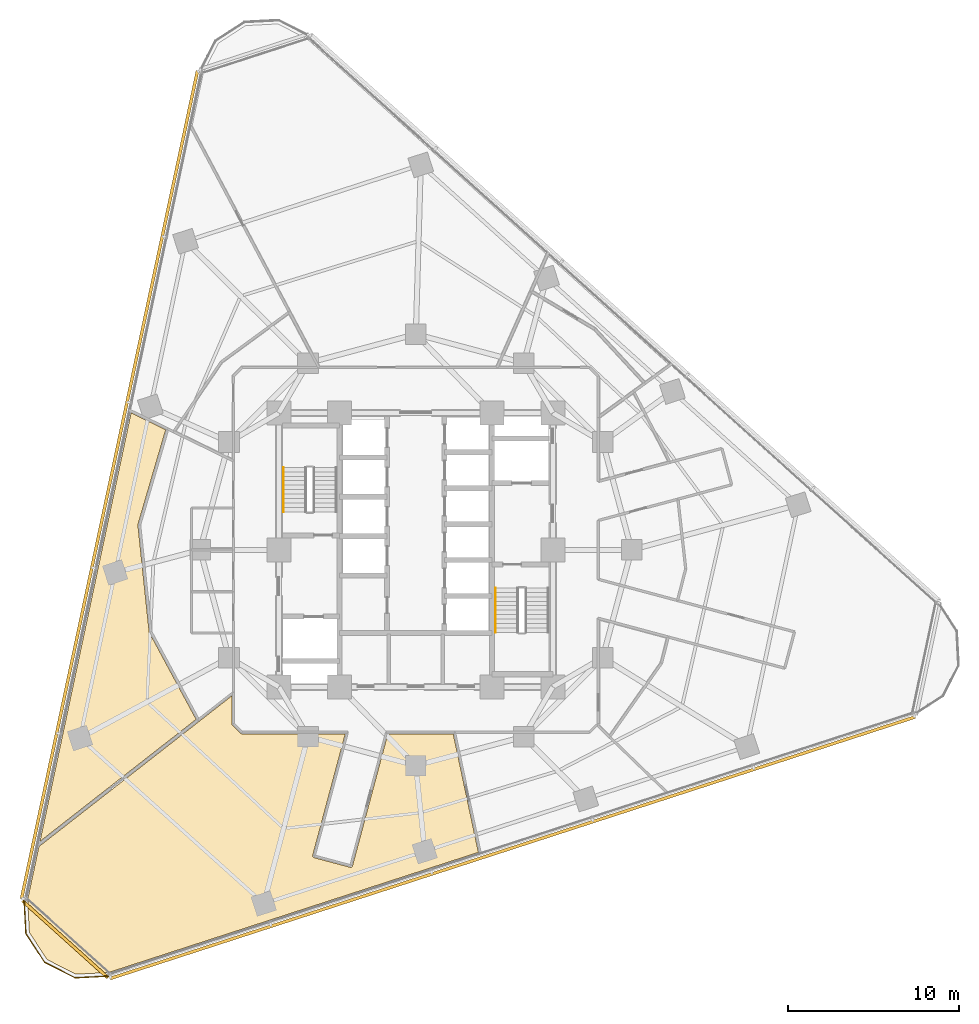
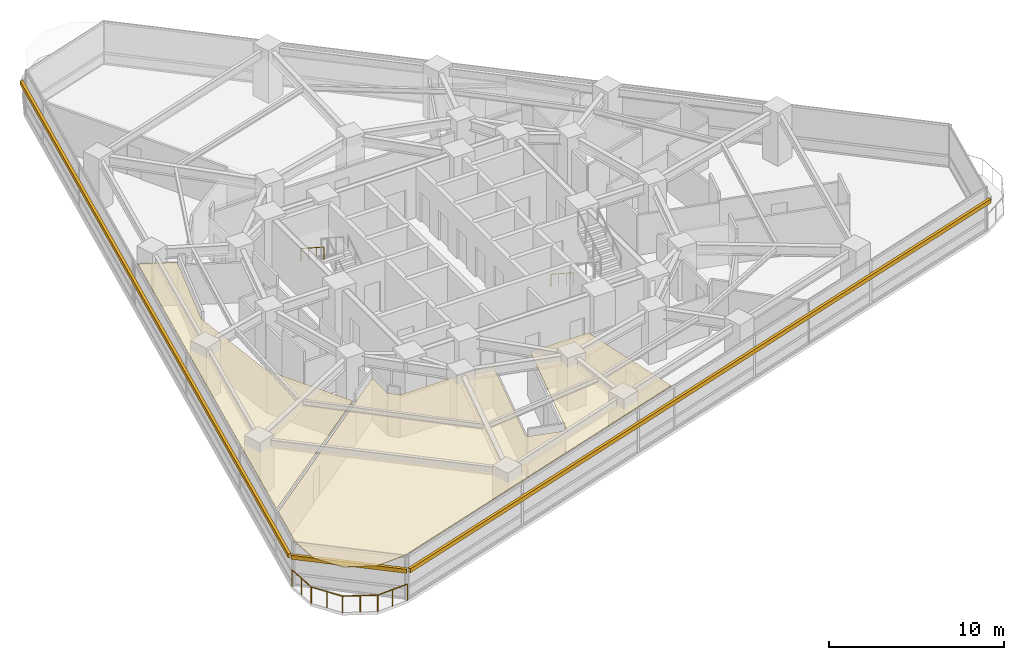
# One storey, part 11 of 13: 3 railings, 3 shading devices, 2 coverings.
"""IFC4 building model written with IfcOpenShell, lengths in metres."""

from ifc_helpers import new_model, si_unit, direction, frame, origin, origin_2d, place, context, subcontext, project, spatial, polyline, rectangle, circle, outline, extrude, material, layer, layer_set, type_object, element, save


model = new_model("IFC4")

# Units and contexts
model_context = context("Model", 3, precision=1e-05, world=origin(), true_north=direction((0.0, 1.0)))
body_context = subcontext(model_context, "Body", "Model", "MODEL_VIEW")
ifc_project = project(units=[si_unit("LENGTHUNIT", "METRE"), si_unit("AREAUNIT", "SQUARE_METRE"), si_unit("VOLUMEUNIT", "CUBIC_METRE"), si_unit("PLANEANGLEUNIT", "RADIAN"), si_unit("MASSUNIT", "GRAM", prefix="KILO")], contexts=[model_context])

# Site, building, storey
site_placement = place(None, origin())
site = spatial("IfcSite", under=ifc_project, at=site_placement, CompositionType="ELEMENT")
building_placement = place(site_placement, origin())
building = spatial("IfcBuilding", under=site, at=building_placement, Name="Terralouvre Media Tower", CompositionType="ELEMENT")
storey_placement = place(building_placement, frame((0.0, 0.0, 105.10009765625)))
storey = spatial("IfcBuildingStorey", under=building, at=storey_placement, Name="L26", CompositionType="ELEMENT", Elevation=105.10009765625)

# Coverings
ifc_material_1 = material(Name="Perforated aluminium acoustic ceiling baffle", Category="aluminium")
ifc_layer_1 = layer(ifc_material_1, 0.0400390625, Name="Perforated Acoustic Metal Tile Ceiling CL-AC1")
ifc_layer_set_1 = layer_set([ifc_layer_1], Name="Perforated aluminium acoustic ceiling baffle")
covering_type = type_object("IfcCoveringType", Name="Perforated Acoustic Metal Tile Ceiling CL-AC1", PredefinedType="CEILING", material=ifc_layer_set_1)
covering_1_placement = place(storey_placement, frame((0.0, 0.0, 2.97998046875), z_axis=(0.0, 0.0, 1.0), x_axis=(0.951056516295, 0.309016994375, 0.0)))
element("IfcCovering", 1, at=covering_1_placement, inside=storey, type_object=covering_type, Name="L26 Nutrition Tea Pantry 1 Acoustic Ceiling", PredefinedType="CEILING", context=body_context, shape_type="SweptSolid", body=[
    extrude(outline(polyline([(-4.880126953125, -9.717529296875), (-9.232421875, -16.420654296875), (-9.23828125, -16.428466796875), (-9.24462890625, -16.435791015625), (-9.251953125, -16.442626953125), (-9.259765625, -16.448486328125), (-9.26806640625, -16.45361328125), (-9.27685546875, -16.4580078125), (-9.2861328125, -16.46142578125), (-9.295654296875, -16.4638671875), (-9.30517578125, -16.465576171875), (-9.31494140625, -16.466064453125), (-9.324951171875, -16.4658203125), (-9.33447265625, -16.46435546875), (-9.343994140625, -16.462158203125), (-9.353515625, -16.458984375), (-9.3623046875, -16.454833984375), (-9.370849609375, -16.449951171875), (-11.216064453125, -15.252197265625), (-11.223876953125, -15.246337890625), (-11.231201171875, -15.239990234375), (-11.238037109375, -15.232666015625), (-11.243896484375, -15.224853515625), (-11.249267578125, -15.216552734375), (-11.25341796875, -15.207763671875), (-11.2568359375, -15.198486328125), (-11.25927734375, -15.18896484375), (-11.260986328125, -15.179443359375), (-11.261474609375, -15.16943359375), (-11.26123046875, -15.15966796875), (-11.259765625, -15.150146484375), (-11.257568359375, -15.140625), (-11.25439453125, -15.13134765625), (-11.25048828125, -15.122314453125), (-11.245361328125, -15.11376953125), (-7.242431640625, -8.949951171875), (-12.97509765625, -7.08740234375), (-12.984375, -7.083740234375), (-12.9931640625, -7.07958984375), (-13.00146484375, -7.07421875), (-13.00927734375, -7.068359375), (-13.016357421875, -7.0615234375), (-13.022705078125, -7.05419921875), (-13.0283203125, -7.046142578125), (-13.033447265625, -7.03759765625), (-13.354248046875, -6.407470703125), (-13.3583984375, -6.398681640625), (-13.361572265625, -6.389404296875), (-13.36376953125, -6.379638671875), (-13.364990234375, -6.3701171875), (-13.365234375, -6.360107421875), (-13.364501953125, -6.350341796875), (-13.363037109375, -6.3408203125), (-13.3603515625, -6.331298828125), (-12.858642578125, -4.786865234375), (-15.115234375, -5.6083984375), (-26.292724609375, -9.676025390625), (-27.874755859375, -12.416748046875), (-28.372314453125, -14.27197265625), (-27.883056640625, -16.0986328125), (-26.54638671875, -17.434814453125), (-24.69140625, -17.932373046875), (-1.98486328125, -17.931884765625), (-1.245849609375, -10.8984375), (-4.880126953125, -9.717529296875)])), origin(), (0.0, 0.0, 1.0), 0.0400390625),
])
covering_2_placement = place(storey_placement, frame((0.0, 0.0, 2.97998046875), z_axis=(0.0, 0.0, 1.0), x_axis=(0.951056516295, 0.309016994375, 0.0)))
element("IfcCovering", 2, at=covering_2_placement, inside=storey, type_object=covering_type, Name="L26 Club Administration Office 7 Acoustic Ceiling", PredefinedType="CEILING", context=body_context, shape_type="SweptSolid", body=[
    extrude(outline(polyline([(-16.296142578125, 0.218017578125), (-16.297607421875, 0.2275390625), (-16.2978515625, 0.2373046875), (-16.29736328125, 0.2470703125), (-16.295654296875, 0.2568359375), (-14.991455078125, 6.39404296875), (-14.98876953125, 6.403564453125), (-14.9853515625, 6.41259765625), (-14.981201171875, 6.42138671875), (-14.97607421875, 6.4296875), (-11.727783203125, 11.186767578125), (-13.34521484375, 12.7490234375), (-26.13720703125, -9.40673828125), (-15.26318359375, -5.449462890625), (-16.296142578125, 0.218017578125)])), origin(), (0.0, 0.0, 1.0), 0.0400390625),
])

# Railings
ifc_material_2 = material(Name="Stainless steel 316 handrail and balustrade", Category="steel")
ifc_layer_2 = layer(ifc_material_2, 0.06005859375, Name="Roof Edge Safety Guardrail GR-ROOF1")
ifc_layer_set_2 = layer_set([ifc_layer_2], Name="Stainless steel 316 handrail and balustrade")
railing_type_1 = type_object("IfcRailingType", Name="Roof Edge Safety Guardrail GR-ROOF1", PredefinedType="GUARDRAIL", material=ifc_layer_set_2)
railing_placement = place(storey_placement, frame((-22.8837890625, -20.395751953125, 0.0)))
element("IfcRailing", 3, at=railing_placement, inside=storey, type_object=railing_type_1, Name="L26 Wind-Corner Perimeter Safety Guardrail C0", PredefinedType="GUARDRAIL", context=body_context, shape_type="SweptSolid", body=[
    extrude(circle(Radius=0.02099609375, at=origin_2d()), frame((0.0, 0.0, 1.12890625), z_axis=(0.05204188706, -0.998644902851, 0.0), x_axis=(0.998644902851, 0.05204188706, 0.0)), (0.0, 0.0, 1.0), 2.0078125),
    extrude(circle(Radius=0.02099609375, at=origin_2d()), frame((0.1044921875, -2.005126953125, 1.12890625), z_axis=(0.544556562485, -0.838724120468, 0.0), x_axis=(0.838724120468, 0.544556562485, 0.0)), (0.0, 0.0, 1.0), 2.007568359375),
    extrude(circle(Radius=0.02099609375, at=origin_2d()), frame((1.19775390625, -3.68896484375, 1.12890625), z_axis=(0.891070121909, -0.453865660566, 0.0), x_axis=(0.453865660566, 0.891070121909, 0.0)), (0.0, 0.0, 1.0), 2.007568359375),
    extrude(circle(Radius=0.02099609375, at=origin_2d()), frame((2.986572265625, -4.60009765625, 1.12890625), z_axis=(0.998619508244, 0.052526924091, 0.0), x_axis=(-0.052526924091, 0.998619508244, 0.0)), (0.0, 0.0, 1.0), 2.0078125),
    extrude(circle(Radius=0.01904296875, at=origin_2d()), origin(), (0.0, 0.0, 1.0), 1.10791015625),
    extrude(circle(Radius=0.01904296875, at=origin_2d()), frame((0.05224609375, -1.00244140625, 0.0)), (0.0, 0.0, 1.0), 1.10791015625),
    extrude(circle(Radius=0.01904296875, at=origin_2d()), frame((0.1044921875, -2.005126953125, 0.0)), (0.0, 0.0, 1.0), 1.10791015625),
    extrude(circle(Radius=0.01904296875, at=origin_2d()), frame((0.651123046875, -2.84716796875, 0.0)), (0.0, 0.0, 1.0), 1.10791015625),
    extrude(circle(Radius=0.01904296875, at=origin_2d()), frame((1.19775390625, -3.68896484375, 0.0)), (0.0, 0.0, 1.0), 1.10791015625),
    extrude(circle(Radius=0.01904296875, at=origin_2d()), frame((2.09228515625, -4.14453125, 0.0)), (0.0, 0.0, 1.0), 1.10791015625),
    extrude(circle(Radius=0.01904296875, at=origin_2d()), frame((2.986572265625, -4.60009765625, 0.0)), (0.0, 0.0, 1.0), 1.10791015625),
    extrude(circle(Radius=0.01904296875, at=origin_2d()), frame((3.9892578125, -4.54736328125, 0.0)), (0.0, 0.0, 1.0), 1.10791015625),
    extrude(circle(Radius=0.01904296875, at=origin_2d()), frame((4.99169921875, -4.49462890625, 0.0)), (0.0, 0.0, 1.0), 1.10791015625),
])
ifc_material_3 = material(Name="Stainless steel 316 handrail and balustrade", Category="steel")
ifc_layer_3 = layer(ifc_material_3, 0.050048828125, Name="Stair Flight Wall Handrail HR-INT1")
ifc_layer_set_3 = layer_set([ifc_layer_3], Name="Stainless steel 316 handrail and balustrade")
railing_type_2 = type_object("IfcRailingType", Name="Stair Flight Wall Handrail HR-INT1", PredefinedType="HANDRAIL", material=ifc_layer_set_3)
for number, where, name in (
    (4, (-7.72998046875, 4.820068359375, 2.01806640625), "L26 ST-01 stair handrail 2"),
    (5, (4.64990234375, -2.219970703125, 0.16796875), "L26 ST-02 stair handrail 1"),
):
    element("IfcRailing", number, at=place(storey_placement, frame(where)), inside=storey, type_object=railing_type_2, Name=name, PredefinedType="HANDRAIL", context=body_context, shape_type="SweptSolid", body=[
        extrude(circle(Radius=0.02392578125, at=origin_2d()), frame((0.0, 0.0, 0.8759765625), z_axis=(0.0, -0.839648411786, 0.543130320075), x_axis=(1.0, 0.0, 0.0)), (0.0, 0.0, 1.0), 3.0966796875),
        extrude(circle(Radius=0.02099609375, at=origin_2d()), origin(), (0.0, 0.0, 1.0), 0.851806640625),
        extrude(circle(Radius=0.02099609375, at=origin_2d()), frame((0.0, -0.86669921875, 0.560546875)), (0.0, 0.0, 1.0), 0.851806640625),
        extrude(circle(Radius=0.02099609375, at=origin_2d()), frame((0.0, -1.7333984375, 1.121337890625)), (0.0, 0.0, 1.0), 0.851806640625),
        extrude(circle(Radius=0.02099609375, at=origin_2d()), frame((0.0, -2.60009765625, 1.681884765625)), (0.0, 0.0, 1.0), 0.851806640625),
    ])

# Shading devices
ifc_material_4 = material(Name="Extruded terracotta baguette sunshade louvres", Category="masonry")
shading_device_type = type_object("IfcShadingDeviceType", Name="Terracotta Baguette Sunshade Louvre Screen TB-LV1", PredefinedType="USERDEFINED", material=ifc_material_4)
for number, where, z_axis, x_axis, name in (
    (6, (5.652587890625, -17.396728515625, 2.02392578125), (0.0, 0.0, 1.0), (0.951056509451, 0.309017015439, 0.0), "CW-L26-F0 Terracotta Baguette Sunshade Louvre"),
    (7, (-17.892333984375, 3.80322265625, 2.02392578125), (0.0, 0.0, 1.0), (-0.207911643887, -0.978147610709, 0.0), "CW-L26-F2 Terracotta Baguette Sunshade Louvre"),
):
    element("IfcShadingDevice", number, at=place(storey_placement, frame(where, z_axis=z_axis, x_axis=x_axis)), inside=storey, type_object=shading_device_type, Name=name, ObjectType="BAGUETTE", PredefinedType="USERDEFINED", context=body_context, shape_type="SweptSolid", body=[
        extrude(rectangle(XDim=49.43994140625, YDim=0.179931640625, at=origin_2d()), origin(), (0.0, 0.0, 1.0), 0.280029296875),
    ])
shading_device_placement = place(storey_placement, frame((-20.478271484375, -22.743408203125, 2.02392578125), z_axis=(0.0, 0.0, 1.0), x_axis=(0.743144668471, -0.669130780732, 0.0)))
element("IfcShadingDevice", 8, at=shading_device_placement, inside=storey, type_object=shading_device_type, Name="CW-L26-C0 Terracotta Baguette Sunshade Louvre", ObjectType="BAGUETTE", PredefinedType="USERDEFINED", context=body_context, shape_type="SweptSolid", body=[
    extrude(rectangle(XDim=6.720458984375, YDim=0.179931640625, at=origin_2d()), origin(), (0.0, 0.0, 1.0), 0.280029296875),
])

save(model, "model.ifc")
